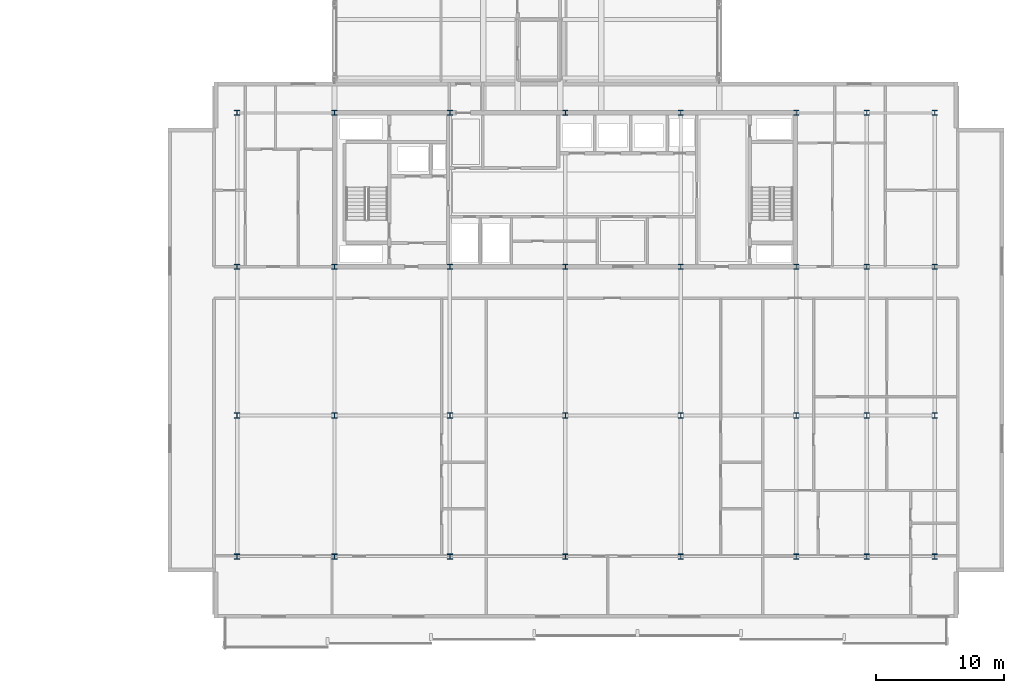
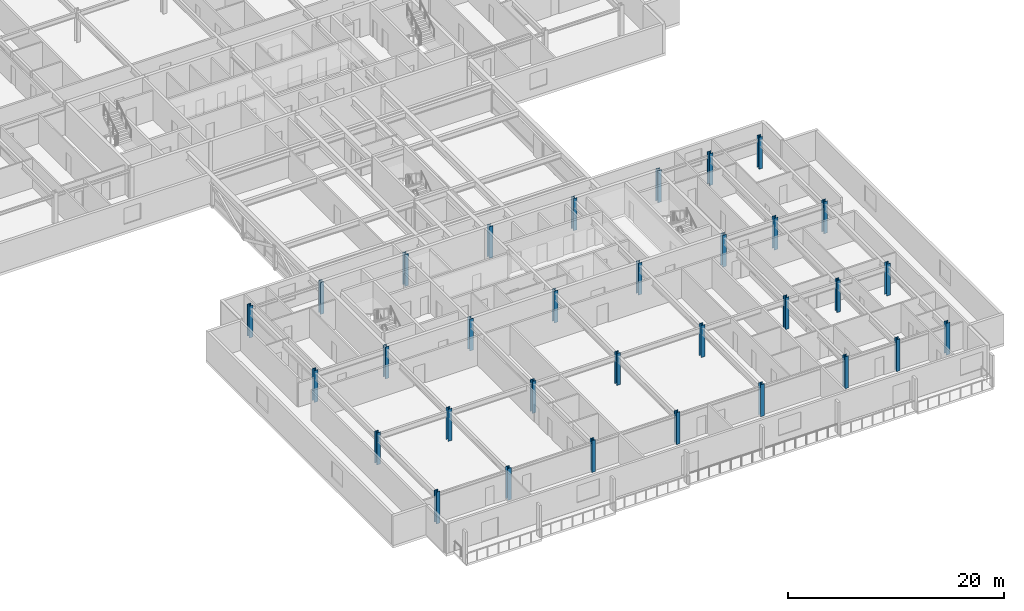
# One storey, part 1 of 35: 32 columns.
"""IFC4 building model written with IfcOpenShell, lengths in metres."""

from ifc_helpers import new_model, si_unit, direction, frame, origin, origin_2d, place, context, subcontext, project, spatial, i_section, extrude, material, material_profile, profile_set, type_object, element, save


model = new_model("IFC4")

# Units and contexts
model_context = context("Model", 3, precision=1e-05, world=origin(), true_north=direction((0.0, 1.0)))
body_context = subcontext(model_context, "Body", "Model", "MODEL_VIEW")
ifc_project = project(units=[si_unit("LENGTHUNIT", "METRE"), si_unit("AREAUNIT", "SQUARE_METRE"), si_unit("VOLUMEUNIT", "CUBIC_METRE"), si_unit("PLANEANGLEUNIT", "RADIAN"), si_unit("MASSUNIT", "GRAM", prefix="KILO")], contexts=[model_context])

# Site, building, storey
site_placement = place(None, origin())
site = spatial("IfcSite", under=ifc_project, at=site_placement, CompositionType="ELEMENT")
building_placement = place(site_placement, origin())
building = spatial("IfcBuilding", under=site, at=building_placement, Name="Korimba Cascade Residences", CompositionType="ELEMENT")
storey_placement = place(building_placement, frame((0.0, 0.0, 150.10009765625)))
storey = spatial("IfcBuildingStorey", under=building, at=storey_placement, Name="L43", CompositionType="ELEMENT", Elevation=150.10009765625)

# Columns
ifc_material = material(Name="Steel S460", Category="steel")
ifc_material_profile = material_profile(ifc_material, i_section(OverallWidth=0.403076171875, OverallDepth=0.406494140625, WebThickness=0.026611328125, FlangeThickness=0.04296875, FilletRadius=0.01513671875, at=origin_2d()), Name="Steel S460")
ifc_profile_set = profile_set([ifc_material_profile], Name="Steel S460")
column_type = type_object("IfcColumnType", Name="COL-STL-UC340", PredefinedType="COLUMN", material=ifc_profile_set)
for number, where, z_axis, x_axis, name in (
    (1, (74.5, -4.199951171875, 0.0), (0.0, 0.0, 1.0), (1.0, 0.0, 0.0), "L43 Tower 2 Column 1.1"),
    (2, (74.5, 6.800048828125, 0.0), (0.0, 0.0, 1.0), (1.0, 0.0, 0.0), "L43 Tower 2 Column 1.2"),
    (3, (74.5, 18.39990234375, 0.0), (0.0, 0.0, 1.0), (1.0, 0.0, 0.0), "L43 Tower 2 Column 1.3"),
    (4, (74.5, 30.39990234375, 0.0), (0.0, 0.0, 1.0), (1.0, 0.0, 0.0), "L43 Tower 2 Column 1.4"),
    (5, (82.10009765625, -4.199951171875, 0.0), (0.0, 0.0, 1.0), (1.0, 0.0, 0.0), "L43 Tower 2 Column 2.1"),
    (6, (82.10009765625, 6.800048828125, 0.0), (0.0, 0.0, 1.0), (1.0, 0.0, 0.0), "L43 Tower 2 Column 2.2"),
    (7, (82.10009765625, 18.39990234375, 0.0), (0.0, 0.0, 1.0), (1.0, 0.0, 0.0), "L43 Tower 2 Column 2.3"),
    (8, (82.10009765625, 30.39990234375, 0.0), (0.0, 0.0, 1.0), (1.0, 0.0, 0.0), "L43 Tower 2 Column 2.4"),
    (9, (91.10009765625, -4.199951171875, 0.0), (0.0, 0.0, 1.0), (1.0, 0.0, 0.0), "L43 Tower 2 Column 3.1"),
    (10, (91.10009765625, 6.800048828125, 0.0), (0.0, 0.0, 1.0), (1.0, 0.0, 0.0), "L43 Tower 2 Column 3.2"),
    (11, (91.10009765625, 18.39990234375, 0.0), (0.0, 0.0, 1.0), (1.0, 0.0, 0.0), "L43 Tower 2 Column 3.3"),
    (12, (91.10009765625, 30.39990234375, 0.0), (0.0, 0.0, 1.0), (1.0, 0.0, 0.0), "L43 Tower 2 Column 3.4"),
    (13, (100.10009765625, -4.199951171875, 0.0), (0.0, 0.0, 1.0), (1.0, 0.0, 0.0), "L43 Tower 2 Column 4.1"),
    (14, (100.10009765625, 6.800048828125, 0.0), (0.0, 0.0, 1.0), (1.0, 0.0, 0.0), "L43 Tower 2 Column 4.2"),
    (15, (100.10009765625, 18.39990234375, 0.0), (0.0, 0.0, 1.0), (1.0, 0.0, 0.0), "L43 Tower 2 Column 4.3"),
    (16, (100.10009765625, 30.39990234375, 0.0), (0.0, 0.0, 1.0), (1.0, 0.0, 0.0), "L43 Tower 2 Column 4.4"),
    (17, (109.10009765625, -4.199951171875, 0.0), (0.0, 0.0, 1.0), (1.0, 0.0, 0.0), "L43 Tower 2 Column 5.1"),
    (18, (109.10009765625, 6.800048828125, 0.0), (0.0, 0.0, 1.0), (1.0, 0.0, 0.0), "L43 Tower 2 Column 5.2"),
    (19, (109.10009765625, 18.39990234375, 0.0), (0.0, 0.0, 1.0), (1.0, 0.0, 0.0), "L43 Tower 2 Column 5.3"),
    (20, (109.10009765625, 30.39990234375, 0.0), (0.0, 0.0, 1.0), (1.0, 0.0, 0.0), "L43 Tower 2 Column 5.4"),
    (21, (118.10009765625, -4.199951171875, 0.0), (0.0, 0.0, 1.0), (1.0, 0.0, 0.0), "L43 Tower 2 Column 6.1"),
    (22, (118.10009765625, 6.800048828125, 0.0), (0.0, 0.0, 1.0), (1.0, 0.0, 0.0), "L43 Tower 2 Column 6.2"),
    (23, (118.10009765625, 18.39990234375, 0.0), (0.0, 0.0, 1.0), (1.0, 0.0, 0.0), "L43 Tower 2 Column 6.3"),
    (24, (118.10009765625, 30.39990234375, 0.0), (0.0, 0.0, 1.0), (1.0, 0.0, 0.0), "L43 Tower 2 Column 6.4"),
    (25, (123.60009765625, -4.199951171875, 0.0), (0.0, 0.0, 1.0), (1.0, 0.0, 0.0), "L43 Tower 2 Column 7.1"),
    (26, (123.60009765625, 6.800048828125, 0.0), (0.0, 0.0, 1.0), (1.0, 0.0, 0.0), "L43 Tower 2 Column 7.2"),
    (27, (123.60009765625, 18.39990234375, 0.0), (0.0, 0.0, 1.0), (1.0, 0.0, 0.0), "L43 Tower 2 Column 7.3"),
    (28, (123.60009765625, 30.39990234375, 0.0), (0.0, 0.0, 1.0), (1.0, 0.0, 0.0), "L43 Tower 2 Column 7.4"),
    (29, (128.89990234375, -4.199951171875, 0.0), (0.0, 0.0, 1.0), (1.0, 0.0, 0.0), "L43 Tower 2 Column 8.1"),
    (30, (128.89990234375, 6.800048828125, 0.0), (0.0, 0.0, 1.0), (1.0, 0.0, 0.0), "L43 Tower 2 Column 8.2"),
    (31, (128.89990234375, 18.39990234375, 0.0), (0.0, 0.0, 1.0), (1.0, 0.0, 0.0), "L43 Tower 2 Column 8.3"),
    (32, (128.89990234375, 30.39990234375, 0.0), (0.0, 0.0, 1.0), (1.0, 0.0, 0.0), "L43 Tower 2 Column 8.4"),
):
    element("IfcColumn", number, at=place(storey_placement, frame(where, z_axis=z_axis, x_axis=x_axis)), inside=storey, type_object=column_type, Name=name, PredefinedType="COLUMN", context=body_context, shape_type="SweptSolid", body=[
        extrude(i_section(OverallWidth=0.403076171875, OverallDepth=0.406494140625, WebThickness=0.026611328125, FlangeThickness=0.04296875, FilletRadius=0.01513671875, at=origin_2d()), origin(), (0.0, 0.0, 1.0), 3.599853515625),
    ])

save(model, "model.ifc")
